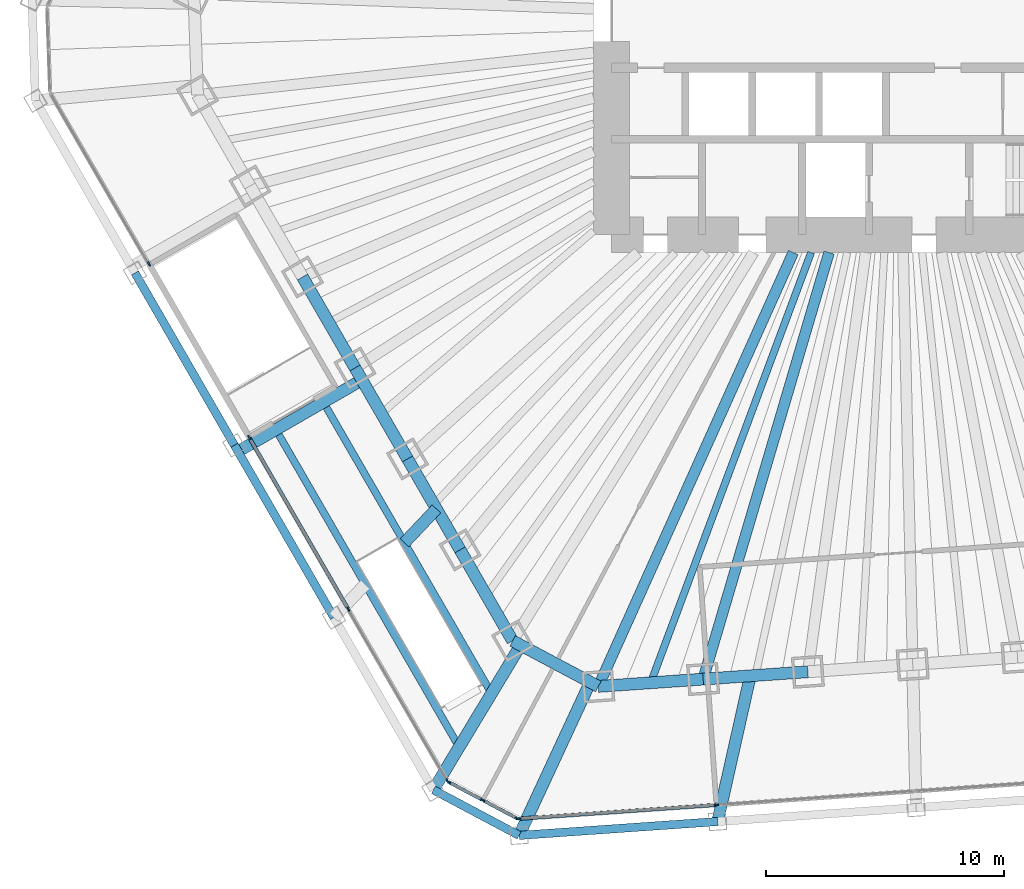
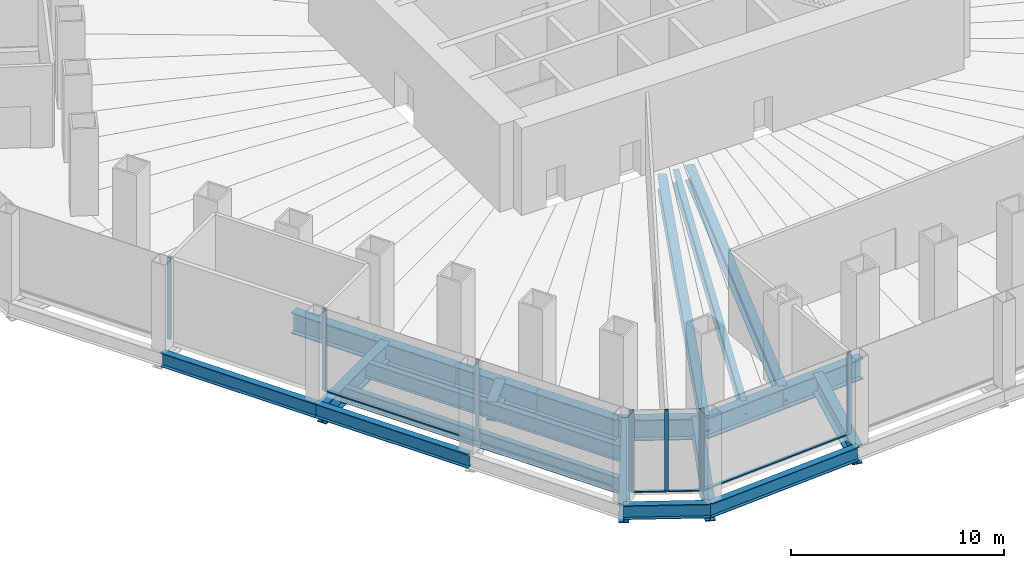
# One storey, part 2 of 18: 21 beams, 13 members, 4 elements without a shape of their own.
"""IFC4 building model written with IfcOpenShell, lengths in metres."""

from ifc_helpers import new_model, si_unit, direction, frame, origin, origin_2d, place, context, subcontext, project, spatial, rectangle, i_section, extrude, material, material_profile, profile_set, type_object, element, aggregate, save


model = new_model("IFC4")

# Units and contexts
model_context = context("Model", 3, precision=1e-05, world=origin(), true_north=direction((0.0, 1.0)))
body_context = subcontext(model_context, "Body", "Model", "MODEL_VIEW")
ifc_project = project(units=[si_unit("LENGTHUNIT", "METRE"), si_unit("AREAUNIT", "SQUARE_METRE"), si_unit("VOLUMEUNIT", "CUBIC_METRE"), si_unit("PLANEANGLEUNIT", "RADIAN"), si_unit("MASSUNIT", "GRAM", prefix="KILO")], contexts=[model_context])

# Site, building, storey
site_placement = place(None, origin())
site = spatial("IfcSite", under=ifc_project, at=site_placement, CompositionType="ELEMENT")
building_placement = place(site_placement, origin())
building = spatial("IfcBuilding", under=site, at=building_placement, Name="Qingtian Harvest Tower", CompositionType="ELEMENT")
storey_placement = place(building_placement, frame((0.0, 0.0, 12.0)))
storey = spatial("IfcBuildingStorey", under=building, at=storey_placement, Name="L02", CompositionType="ELEMENT", Elevation=12.0)

# Beams
ifc_material_1 = material(Name="Steel SM570MC", Category="steel")
ifc_material_profile_1 = material_profile(ifc_material_1, i_section(OverallWidth=0.449951171875, OverallDepth=0.89990234375, WebThickness=0.02197265625, FlangeThickness=0.044921875, at=origin_2d()), Name="H900x450x22x45")
ifc_profile_set_1 = profile_set([ifc_material_profile_1], Name="Steel SM570MC")
beam_type_1 = type_object("IfcBeamType", Name="Floor beam FB5 H900x450x22x45", PredefinedType="BEAM", material=ifc_profile_set_1)
beam_1_placement = place(storey_placement, frame((-8.158935546875, -27.636474609375, -0.699951171875), z_axis=(0.283142824758, 0.95907775534, 0.0), x_axis=(-0.95907775534, 0.283142824758, 0.0)))
element("IfcBeam", 1, at=beam_1_placement, inside=storey, type_object=beam_type_1, Name="Floor beam FB5 S5", PredefinedType="BEAM", context=body_context, shape_type="SweptSolid", body=[
    extrude(i_section(OverallWidth=0.449951171875, OverallDepth=0.89990234375, WebThickness=0.02197265625, FlangeThickness=0.044921875, at=origin_2d()), origin(), (0.0, 0.0, 1.0), 18.649658203125),
])
beam_2_placement = place(storey_placement, frame((-12.552734375, -27.943603515625, -0.699951171875), z_axis=(0.409769605538, 0.912189054077, 0.0), x_axis=(-0.912189054077, 0.409769605538, 0.0)))
element("IfcBeam", 2, at=beam_2_placement, inside=storey, type_object=beam_type_1, Name="Floor beam FB5 S6", PredefinedType="BEAM", context=body_context, shape_type="SweptSolid", body=[
    extrude(i_section(OverallWidth=0.449951171875, OverallDepth=0.89990234375, WebThickness=0.02197265625, FlangeThickness=0.044921875, at=origin_2d()), origin(), (0.0, 0.0, 1.0), 19.945068359375),
])
ifc_material_2 = material(Name="Steel SM570MC", Category="steel")
ifc_material_profile_2 = material_profile(ifc_material_2, i_section(OverallWidth=0.5, OverallDepth=1.10009765625, WebThickness=0.02490234375, FlangeThickness=0.050048828125, at=origin_2d()), Name="H1100x500x25x50")
ifc_profile_set_2 = profile_set([ifc_material_profile_2], Name="Steel SM570MC")
beam_type_2 = type_object("IfcBeamType", Name="Floor beam FB6 H1100x500x25x50", PredefinedType="BEAM", material=ifc_profile_set_2)
beam_3_placement = place(storey_placement, frame((-7.552978515625, -33.608642578125, -0.800048828125), z_axis=(0.219270091225, 0.975664197916, 0.0), x_axis=(-0.975664197916, 0.219270091225, 0.0)))
element("IfcBeam", 3, at=beam_3_placement, inside=storey, type_object=beam_type_2, Name="Podium floor beam FB6 S3", PredefinedType="BEAM", context=body_context, shape_type="SweptSolid", body=[
    extrude(i_section(OverallWidth=0.5, OverallDepth=1.10009765625, WebThickness=0.02490234375, FlangeThickness=0.050048828125, at=origin_2d()), origin(), (0.0, 0.0, 1.0), 6.262939453125),
])
for number, where, z_axis, x_axis, name in (
    (4, (-15.874267578125, -34.190673828125, -0.800048828125), (0.421100170237, 0.907014138052, 0.0), (-0.907014138052, 0.421100170237, 0.0), "Podium floor beam FB6 S4"),
    (5, (-19.468505859375, -32.279541015625, -0.800048828125), (0.516465499259, 0.856307998371, 0.0), (-0.856307998371, 0.516465499259, 0.0), "Podium floor beam FB6 SW0"),
):
    element("IfcBeam", number, at=place(storey_placement, frame(where, z_axis=z_axis, x_axis=x_axis)), inside=storey, type_object=beam_type_2, Name=name, PredefinedType="BEAM", context=body_context, shape_type="SweptSolid", body=[
        extrude(i_section(OverallWidth=0.5, OverallDepth=1.10009765625, WebThickness=0.02490234375, FlangeThickness=0.050048828125, at=origin_2d()), origin(), (0.0, 0.0, 1.0), 7.08544921875),
    ])
beam_4_placement = place(storey_placement, frame((-27.66015625, -18.091064453125, -0.800048828125), z_axis=(0.866020924479, 0.500007758305, 0.0), x_axis=(-0.500007758305, 0.866020924479, 0.0)))
element("IfcBeam", 6, at=beam_4_placement, inside=storey, type_object=beam_type_2, Name="Podium floor beam FB6 SW2", PredefinedType="BEAM", context=body_context, shape_type="SweptSolid", body=[
    extrude(i_section(OverallWidth=0.5, OverallDepth=1.10009765625, WebThickness=0.02490234375, FlangeThickness=0.050048828125, at=origin_2d()), origin(), (0.0, 0.0, 1.0), 6.0),
])
beam_5_placement = place(storey_placement, frame((-20.6796875, -21.918212890625, -0.800048828125), z_axis=(0.686277913384, 0.72733941568, 0.0), x_axis=(-0.72733941568, 0.686277913384, 0.0)))
element("IfcBeam", 7, at=beam_5_placement, inside=storey, type_object=beam_type_2, Name="Podium floor beam FB6 SW1 (beyond opening)", PredefinedType="BEAM", context=body_context, shape_type="SweptSolid", body=[
    extrude(i_section(OverallWidth=0.5, OverallDepth=1.10009765625, WebThickness=0.02490234375, FlangeThickness=0.050048828125, at=origin_2d()), origin(), (0.0, 0.0, 1.0), 1.9501953125),
])
ifc_material_3 = material(Name="Steel SN490B", Category="steel")
ifc_material_profile_3 = material_profile(ifc_material_3, i_section(OverallWidth=0.300048828125, OverallDepth=0.800048828125, WebThickness=0.013916015625, FlangeThickness=0.02587890625, at=origin_2d()), Name="H800x300x14x26")
ifc_profile_set_3 = profile_set([ifc_material_profile_3], Name="Steel SN490B")
beam_type_3 = type_object("IfcBeamType", Name="Floor joist J1 H800x300x14x26", PredefinedType="JOIST", material=ifc_profile_set_3)
beam_6_placement = place(storey_placement, frame((-10.35595703125, -27.7900390625, -0.64990234375), z_axis=(0.349193741063, 0.937050548905, 0.0), x_axis=(-0.937050548905, 0.349193741063, 0.0)))
element("IfcBeam", 8, at=beam_6_placement, inside=storey, type_object=beam_type_3, Name="Floor joist J1 S5", PredefinedType="JOIST", context=body_context, shape_type="SweptSolid", body=[
    extrude(i_section(OverallWidth=0.300048828125, OverallDepth=0.800048828125, WebThickness=0.013916015625, FlangeThickness=0.02587890625, at=origin_2d()), origin(), (0.0, 0.0, 1.0), 19.251953125),
])

# Curtain wall, members
ifc_material_4 = material(Name="Bronze-anodised aluminium curtain wall", Category="aluminium")
curtain_wall_type = type_object("IfcCurtainWallType", Name="Curtain wall CW1 podium shopfront", PredefinedType="USERDEFINED", material=ifc_material_4)
curtain_wall_1_placement = place(storey_placement, origin())
curtain_wall_1 = element("IfcCurtainWall", 9, at=curtain_wall_1_placement, inside=storey, type_object=curtain_wall_type, Name="Curtain wall CW1 L02 S0-3", ObjectType="RECESSED CURTAIN WALL", PredefinedType="USERDEFINED")
ifc_material_5 = material(Name="Bronze-anodised aluminium mullion", Category="aluminium")
ifc_material_profile_4 = material_profile(ifc_material_5, rectangle(XDim=0.06494140625, YDim=0.199951171875, at=origin_2d()), Name="AL 65x200")
ifc_profile_set_4 = profile_set([ifc_material_profile_4], Name="Bronze-anodised aluminium mullion")
member_type_1 = type_object("IfcMemberType", Name="Mullion CWM 65x200", PredefinedType="MULLION", material=ifc_profile_set_4)
member_1_placement = place(storey_placement, frame((-7.601806640625, -32.910400390625, 0.0), z_axis=(0.0, 0.0, 1.0), x_axis=(0.069756473744, -0.99756405026, 0.0)))
member_1 = element("IfcMember", 10, at=member_1_placement, type_object=member_type_1, Name="CW1 mullion 4", PredefinedType="MULLION", context=body_context, shape_type="SweptSolid", body=[
    extrude(rectangle(XDim=0.06494140625, YDim=0.199951171875, at=origin_2d()), origin(), (0.0, 0.0, 1.0), 4.699951171875),
])
member_2_placement = place(storey_placement, frame((-15.890869140625, -33.489990234375, 0.0), z_axis=(0.0, 0.0, 1.0), x_axis=(0.069756473744, -0.99756405026, 0.0)))
member_2 = element("IfcMember", 11, at=member_2_placement, type_object=member_type_1, Name="CW1 mullion 5", PredefinedType="MULLION", context=body_context, shape_type="SweptSolid", body=[
    extrude(rectangle(XDim=0.06494140625, YDim=0.199951171875, at=origin_2d()), origin(), (0.0, 0.0, 1.0), 4.699951171875),
])

curtain_wall_2_placement = place(storey_placement, origin())
curtain_wall_2 = element("IfcCurtainWall", 12, at=curtain_wall_2_placement, inside=storey, type_object=curtain_wall_type, Name="Curtain wall CW1 L02 SC", ObjectType="RECESSED CURTAIN WALL", PredefinedType="USERDEFINED")
member_3_placement = place(storey_placement, frame((-15.951904296875, -33.47705078125, 0.0), z_axis=(0.0, 0.0, 1.0), x_axis=(-0.469471562786, -0.882947592859, 0.0)))
member_3 = element("IfcMember", 13, at=member_3_placement, type_object=member_type_1, Name="CW1 mullion 1", PredefinedType="MULLION", context=body_context, shape_type="SweptSolid", body=[
    extrude(rectangle(XDim=0.06494140625, YDim=0.199951171875, at=origin_2d()), origin(), (0.0, 0.0, 1.0), 4.699951171875),
])
member_4_placement = place(storey_placement, frame((-17.392822265625, -32.7109375, 0.0), z_axis=(0.0, 0.0, 1.0), x_axis=(-0.469471562786, -0.882947592859, 0.0)))
member_4 = element("IfcMember", 14, at=member_4_placement, type_object=member_type_1, Name="CW1 mullion 2", PredefinedType="MULLION", context=body_context, shape_type="SweptSolid", body=[
    extrude(rectangle(XDim=0.06494140625, YDim=0.199951171875, at=origin_2d()), origin(), (0.0, 0.0, 1.0), 4.699951171875),
])
member_5_placement = place(storey_placement, frame((-18.83349609375, -31.94482421875, 0.0), z_axis=(0.0, 0.0, 1.0), x_axis=(-0.469471562786, -0.882947592859, 0.0)))
member_5 = element("IfcMember", 15, at=member_5_placement, type_object=member_type_1, Name="CW1 mullion 3", PredefinedType="MULLION", context=body_context, shape_type="SweptSolid", body=[
    extrude(rectangle(XDim=0.06494140625, YDim=0.199951171875, at=origin_2d()), origin(), (0.0, 0.0, 1.0), 4.699951171875),
])

curtain_wall_3_placement = place(storey_placement, origin())
curtain_wall_3 = element("IfcCurtainWall", 16, at=curtain_wall_3_placement, inside=storey, type_object=curtain_wall_type, Name="Curtain wall CW1 L02 SW0-1", ObjectType="RECESSED CURTAIN WALL", PredefinedType="USERDEFINED")
member_6_placement = place(storey_placement, frame((-18.87841796875, -31.9013671875, 0.0), z_axis=(0.0, 0.0, 1.0), x_axis=(-0.866025403784, -0.5, 0.0)))
member_6 = element("IfcMember", 17, at=member_6_placement, type_object=member_type_1, Name="CW1 mullion 1", PredefinedType="MULLION", context=body_context, shape_type="SweptSolid", body=[
    extrude(rectangle(XDim=0.06494140625, YDim=0.199951171875, at=origin_2d()), origin(), (0.0, 0.0, 1.0), 4.699951171875),
])
member_7_placement = place(storey_placement, frame((-23.033203125, -24.705322265625, 0.0), z_axis=(0.0, 0.0, 1.0), x_axis=(-0.866025403784, -0.5, 0.0)))
member_7 = element("IfcMember", 18, at=member_7_placement, type_object=member_type_1, Name="CW1 mullion 2", PredefinedType="MULLION", context=body_context, shape_type="SweptSolid", body=[
    extrude(rectangle(XDim=0.06494140625, YDim=0.199951171875, at=origin_2d()), origin(), (0.0, 0.0, 1.0), 4.699951171875),
])
member_8_placement = place(storey_placement, frame((-27.187744140625, -17.50927734375, 0.0), z_axis=(0.0, 0.0, 1.0), x_axis=(-0.866025403784, -0.5, 0.0)))
member_8 = element("IfcMember", 19, at=member_8_placement, type_object=member_type_1, Name="CW1 mullion 3", PredefinedType="MULLION", context=body_context, shape_type="SweptSolid", body=[
    extrude(rectangle(XDim=0.06494140625, YDim=0.199951171875, at=origin_2d()), origin(), (0.0, 0.0, 1.0), 4.699951171875),
])

# Curtain wall, member
curtain_wall_4_placement = place(storey_placement, origin())
curtain_wall_4 = element("IfcCurtainWall", 20, at=curtain_wall_4_placement, inside=storey, type_object=curtain_wall_type, Name="Curtain wall CW1 L02 SW3", ObjectType="RECESSED CURTAIN WALL", PredefinedType="USERDEFINED")
member_9_placement = place(storey_placement, frame((-31.39111328125, -10.228759765625, 0.0), z_axis=(0.0, 0.0, 1.0), x_axis=(-0.866025403784, -0.5, 0.0)))
member_9 = element("IfcMember", 21, at=member_9_placement, type_object=member_type_1, Name="CW1 mullion 1", PredefinedType="MULLION", context=body_context, shape_type="SweptSolid", body=[
    extrude(rectangle(XDim=0.06494140625, YDim=0.199951171875, at=origin_2d()), origin(), (0.0, 0.0, 1.0), 4.699951171875),
])
aggregate(curtain_wall_4, [member_9])

# Beams
ifc_material_6 = material(Name="Steel SN490B", Category="steel")
ifc_material_profile_5 = material_profile(ifc_material_6, i_section(OverallWidth=0.35009765625, OverallDepth=0.800048828125, WebThickness=0.01611328125, FlangeThickness=0.028076171875, at=origin_2d()), Name="H800x350x16x28")
ifc_profile_set_5 = profile_set([ifc_material_profile_5], Name="Steel SN490B")
beam_type_4 = type_object("IfcBeamType", Name="Podium beam PB1 H800x350x16x28", PredefinedType="BEAM", material=ifc_profile_set_5)
beam_7_placement = place(storey_placement, frame((-7.552978515625, -33.608642578125, -0.64990234375), z_axis=(-0.997562798497, -0.06977437248, 0.0), x_axis=(0.06977437248, -0.997562798497, 0.0)))
element("IfcBeam", 22, at=beam_7_placement, inside=storey, type_object=beam_type_4, Name="Podium edge beam PB1 S3", PredefinedType="BEAM", context=body_context, shape_type="SweptSolid", body=[
    extrude(i_section(OverallWidth=0.35009765625, OverallDepth=0.800048828125, WebThickness=0.01611328125, FlangeThickness=0.028076171875, at=origin_2d()), origin(), (0.0, 0.0, 1.0), 8.341552734375),
])
beam_8_placement = place(storey_placement, frame((-15.874267578125, -34.190673828125, -0.64990234375), z_axis=(-0.882943273379, 0.469479686456, 0.0), x_axis=(-0.469479686456, -0.882943273379, 0.0)))
element("IfcBeam", 23, at=beam_8_placement, inside=storey, type_object=beam_type_4, Name="Podium edge beam PB1 S4", PredefinedType="BEAM", context=body_context, shape_type="SweptSolid", body=[
    extrude(i_section(OverallWidth=0.35009765625, OverallDepth=0.800048828125, WebThickness=0.01611328125, FlangeThickness=0.028076171875, at=origin_2d()), origin(), (0.0, 0.0, 1.0), 4.07080078125),
])
beam_9_placement = place(storey_placement, frame((-23.639404296875, -25.055419921875, -0.64990234375), z_axis=(-0.500004511595, 0.866022798998, 0.0), x_axis=(-0.866022798998, -0.500004511595, 0.0)))
element("IfcBeam", 24, at=beam_9_placement, inside=storey, type_object=beam_type_4, Name="Podium edge beam PB1 SW1", PredefinedType="BEAM", context=body_context, shape_type="SweptSolid", body=[
    extrude(i_section(OverallWidth=0.35009765625, OverallDepth=0.800048828125, WebThickness=0.01611328125, FlangeThickness=0.028076171875, at=origin_2d()), origin(), (0.0, 0.0, 1.0), 8.341796875),
])
beam_10_placement = place(storey_placement, frame((-27.810302734375, -17.831298828125, -0.64990234375), z_axis=(-0.499991838624, 0.866030115706, 0.0), x_axis=(-0.866030115706, -0.499991838624, 0.0)))
element("IfcBeam", 25, at=beam_10_placement, inside=storey, type_object=beam_type_4, Name="Podium edge beam PB1 SW2", PredefinedType="BEAM", context=body_context, shape_type="SweptSolid", body=[
    extrude(i_section(OverallWidth=0.35009765625, OverallDepth=0.800048828125, WebThickness=0.01611328125, FlangeThickness=0.028076171875, at=origin_2d()), origin(), (0.0, 0.0, 1.0), 8.342041015625),
])
ifc_material_7 = material(Name="Steel SM570MC", Category="steel")
ifc_material_profile_6 = material_profile(ifc_material_7, i_section(OverallWidth=0.5, OverallDepth=1.199951171875, WebThickness=0.02490234375, FlangeThickness=0.050048828125, at=origin_2d()), Name="H1200x500x25x50")
ifc_profile_set_6 = profile_set([ifc_material_profile_6], Name="Steel SM570MC")
beam_type_5 = type_object("IfcBeamType", Name="Spandrel beam SB1 H1200x500x25x50", PredefinedType="SPANDREL", material=ifc_profile_set_6)
for number, where, z_axis, x_axis, name in (
    (26, (-3.76513671875, -27.3291015625, -0.85009765625), (-0.997562016486, -0.069785551967, 0.0), (0.069785551967, -0.997562016486, 0.0), "Spandrel SB1 S4"),
    (27, (-8.158935546875, -27.636474609375, -0.85009765625), (-0.997565873714, -0.069730392239, 0.0), (0.069730392239, -0.997565873714, 0.0), "Spandrel SB1 S5"),
):
    element("IfcBeam", number, at=place(storey_placement, frame(where, z_axis=z_axis, x_axis=x_axis)), inside=storey, type_object=beam_type_5, Name=name, PredefinedType="SPANDREL", context=body_context, shape_type="SweptSolid", body=[
        extrude(i_section(OverallWidth=0.5, OverallDepth=1.199951171875, WebThickness=0.02490234375, FlangeThickness=0.050048828125, at=origin_2d()), origin(), (0.0, 0.0, 1.0), 4.404541015625),
    ])
beam_11_placement = place(storey_placement, frame((-12.552734375, -27.943603515625, -0.85009765625), z_axis=(-0.882968133669, 0.469432929101, 0.0), x_axis=(-0.469432929101, -0.882968133669, 0.0)))
element("IfcBeam", 28, at=beam_11_placement, inside=storey, type_object=beam_type_5, Name="Spandrel SB1 SC", PredefinedType="SPANDREL", context=body_context, shape_type="SweptSolid", body=[
    extrude(i_section(OverallWidth=0.5, OverallDepth=1.199951171875, WebThickness=0.02490234375, FlangeThickness=0.050048828125, at=origin_2d()), origin(), (0.0, 0.0, 1.0), 4.070556640625),
])
beam_12_placement = place(storey_placement, frame((-16.14697265625, -26.03271484375, -0.85009765625), z_axis=(-0.50001992892, 0.866013897511, 0.0), x_axis=(-0.866013897511, -0.50001992892, 0.0)))
element("IfcBeam", 29, at=beam_12_placement, inside=storey, type_object=beam_type_5, Name="Spandrel SB1 SW0", PredefinedType="SPANDREL", context=body_context, shape_type="SweptSolid", body=[
    extrude(i_section(OverallWidth=0.5, OverallDepth=1.199951171875, WebThickness=0.02490234375, FlangeThickness=0.050048828125, at=origin_2d()), origin(), (0.0, 0.0, 1.0), 4.404541015625),
])
beam_13_placement = place(storey_placement, frame((-18.349365234375, -22.21826171875, -0.85009765625), z_axis=(-0.499954356739, 0.86605175433, 0.0), x_axis=(-0.86605175433, -0.499954356739, 0.0)))
element("IfcBeam", 30, at=beam_13_placement, inside=storey, type_object=beam_type_5, Name="Spandrel SB1 SW1", PredefinedType="SPANDREL", context=body_context, shape_type="SweptSolid", body=[
    extrude(i_section(OverallWidth=0.5, OverallDepth=1.199951171875, WebThickness=0.02490234375, FlangeThickness=0.050048828125, at=origin_2d()), origin(), (0.0, 0.0, 1.0), 4.40478515625),
])
for number, where, z_axis, x_axis, name in (
    (31, (-20.551513671875, -18.403564453125, -0.85009765625), (-0.50001992892, 0.866013897511, 0.0), (-0.866013897511, -0.50001992892, 0.0), "Spandrel SB1 SW2"),
    (32, (-22.75390625, -14.589111328125, -0.85009765625), (-0.499978356969, 0.866037899034, 0.0), (-0.866037899034, -0.499978356969, 0.0), "Spandrel SB1 SW3"),
):
    element("IfcBeam", number, at=place(storey_placement, frame(where, z_axis=z_axis, x_axis=x_axis)), inside=storey, type_object=beam_type_5, Name=name, PredefinedType="SPANDREL", context=body_context, shape_type="SweptSolid", body=[
        extrude(i_section(OverallWidth=0.5, OverallDepth=1.199951171875, WebThickness=0.02490234375, FlangeThickness=0.050048828125, at=origin_2d()), origin(), (0.0, 0.0, 1.0), 4.404541015625),
    ])

# Member
ifc_material_8 = material(Name="Bronze-anodised aluminium transom", Category="aluminium")
ifc_material_profile_7 = material_profile(ifc_material_8, rectangle(XDim=0.14990234375, YDim=0.06494140625, at=origin_2d()), Name="AL 65x150")
ifc_profile_set_7 = profile_set([ifc_material_profile_7], Name="Bronze-anodised aluminium transom")
member_type_2 = type_object("IfcMemberType", Name="Transom CWT 65x150", PredefinedType="USERDEFINED", material=ifc_profile_set_7)
member_10_placement = place(storey_placement, frame((-7.634033203125, -32.91259765625, 0.032470703125), z_axis=(-0.997563276455, -0.069767538793, 0.0), x_axis=(0.069767538793, -0.997563276455, 0.0)))
member_10 = element("IfcMember", 33, at=member_10_placement, type_object=member_type_2, Name="CW1 transom 4.1", ObjectType="TRANSOM", PredefinedType="USERDEFINED", context=body_context, shape_type="SweptSolid", body=[
    extrude(rectangle(XDim=0.14990234375, YDim=0.06494140625, at=origin_2d()), origin(), (0.0, 0.0, 1.0), 8.244384765625),
])

aggregate(curtain_wall_1, [member_1, member_2, member_10])

member_11_placement = place(storey_placement, frame((-15.98046875, -33.4619140625, 0.032470703125), z_axis=(-0.882960338349, 0.46944759122, 0.0), x_axis=(-0.46944759122, -0.882960338349, 0.0)))
member_11 = element("IfcMember", 34, at=member_11_placement, type_object=member_type_2, Name="CW1 transom 1.1", ObjectType="TRANSOM", PredefinedType="USERDEFINED", context=body_context, shape_type="SweptSolid", body=[
    extrude(rectangle(XDim=0.14990234375, YDim=0.06494140625, at=origin_2d()), origin(), (0.0, 0.0, 1.0), 1.56689453125),
])

member_12_placement = place(storey_placement, frame((-17.42138671875, -32.69580078125, 0.032470703125), z_axis=(-0.882960338349, 0.46944759122, 0.0), x_axis=(-0.46944759122, -0.882960338349, 0.0)))
member_12 = element("IfcMember", 35, at=member_12_placement, type_object=member_type_2, Name="CW1 transom 2.1", ObjectType="TRANSOM", PredefinedType="USERDEFINED", context=body_context, shape_type="SweptSolid", body=[
    extrude(rectangle(XDim=0.14990234375, YDim=0.06494140625, at=origin_2d()), origin(), (0.0, 0.0, 1.0), 1.56689453125),
])

aggregate(curtain_wall_2, [member_3, member_4, member_5, member_11, member_12])

member_13_placement = place(storey_placement, frame((-23.04931640625, -24.67724609375, 0.032470703125), z_axis=(-0.500021515307, 0.86601298156, 0.0), x_axis=(-0.86601298156, -0.500021515307, 0.0)))
member_13 = element("IfcMember", 36, at=member_13_placement, type_object=member_type_2, Name="CW1 transom 2.1", ObjectType="TRANSOM", PredefinedType="USERDEFINED", context=body_context, shape_type="SweptSolid", body=[
    extrude(rectangle(XDim=0.14990234375, YDim=0.06494140625, at=origin_2d()), origin(), (0.0, 0.0, 1.0), 8.244384765625),
])

aggregate(curtain_wall_3, [member_6, member_7, member_8, member_13])

# Beams
ifc_material_9 = material(Name="Steel SN490B", Category="steel")
ifc_material_profile_8 = material_profile(ifc_material_9, i_section(OverallWidth=0.300048828125, OverallDepth=0.89990234375, WebThickness=0.01611328125, FlangeThickness=0.028076171875, at=origin_2d()), Name="H900x300x16x28")
ifc_profile_set_8 = profile_set([ifc_material_profile_8], Name="Steel SN490B")
beam_type_6 = type_object("IfcBeamType", Name="Trimmer beam TB1 H900x300x16x28", PredefinedType="BEAM", material=ifc_profile_set_8)
beam_14_placement = place(storey_placement, frame((-26.073974609375, -17.175048828125, -0.699951171875), z_axis=(0.499996035515, -0.866027692669, 0.0), x_axis=(0.866027692669, 0.499996035515, 0.0)))
element("IfcBeam", 37, at=beam_14_placement, inside=storey, type_object=beam_type_6, Name="Trimmer beam TB1 FS4 1", PredefinedType="BEAM", context=body_context, shape_type="SweptSolid", body=[
    extrude(i_section(OverallWidth=0.300048828125, OverallDepth=0.89990234375, WebThickness=0.01611328125, FlangeThickness=0.028076171875, at=origin_2d()), origin(), (0.0, 0.0, 1.0), 15.3720703125),
])
beam_15_placement = place(storey_placement, frame((-24.08203125, -16.025146484375, -0.699951171875), z_axis=(0.499995197583, -0.866028176444, 0.0), x_axis=(0.866028176444, 0.499995197583, 0.0)))
element("IfcBeam", 38, at=beam_15_placement, inside=storey, type_object=beam_type_6, Name="Trimmer beam TB1 FS4 2", PredefinedType="BEAM", context=body_context, shape_type="SweptSolid", body=[
    extrude(i_section(OverallWidth=0.300048828125, OverallDepth=0.89990234375, WebThickness=0.01611328125, FlangeThickness=0.028076171875, at=origin_2d()), origin(), (0.0, 0.0, 1.0), 14.102294921875),
])

save(model, "model.ifc")
